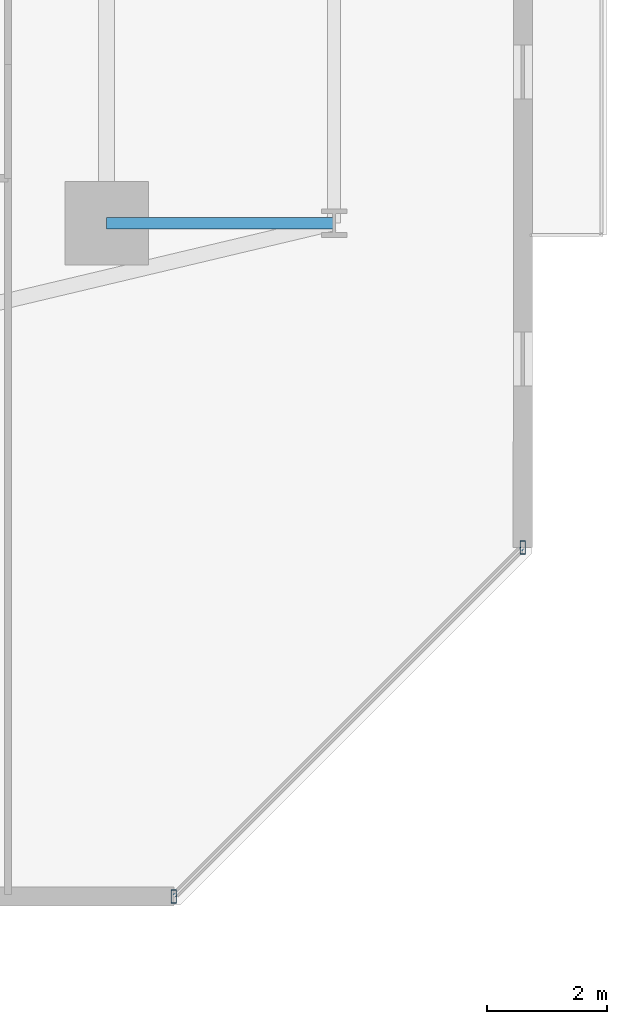
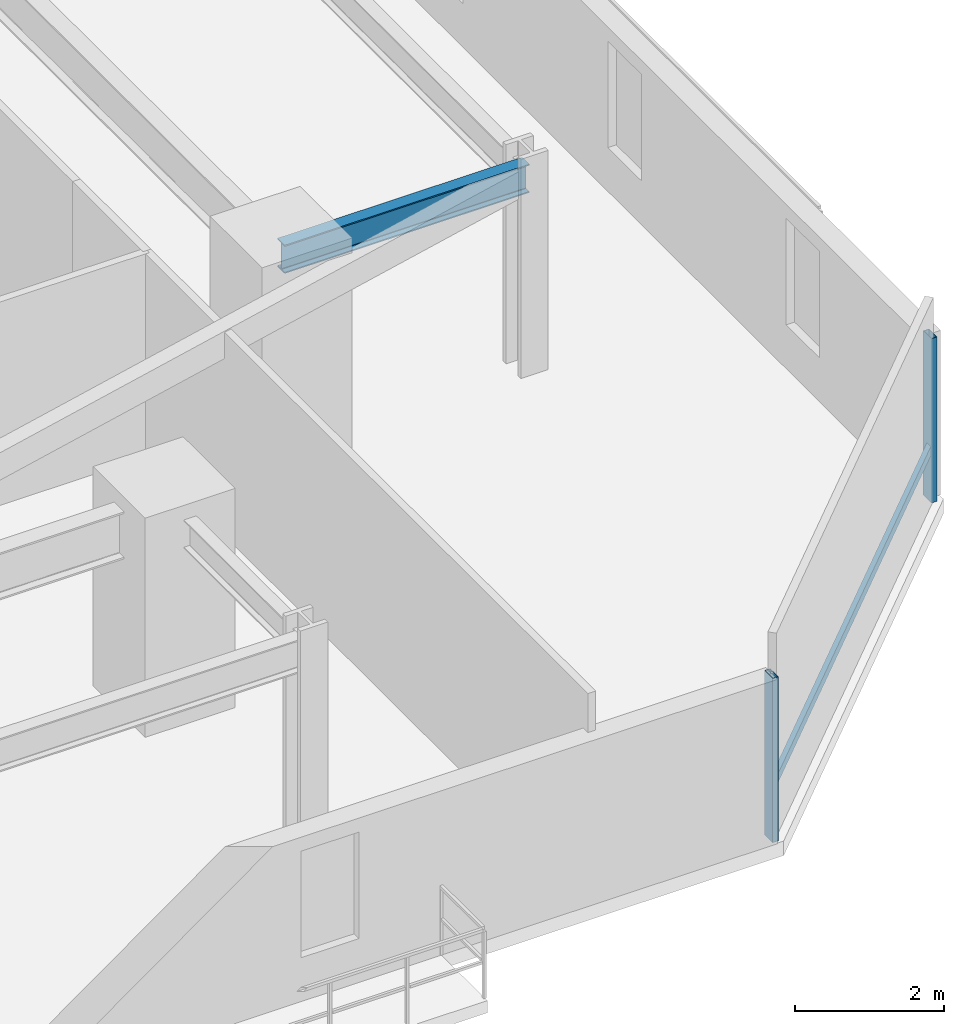
# One storey, part 12 of 33: 3 members, 1 beam, 1 element without a shape of its own.
"""IFC4 building model written with IfcOpenShell, lengths in metres."""

from ifc_helpers import new_model, si_unit, direction, frame, origin, origin_2d, place, context, subcontext, project, spatial, hollow_rectangle, i_section, extrude, material, material_profile, profile_set, type_object, element, aggregate, save


model = new_model("IFC4")

# Units and contexts
model_context = context("Model", 3, precision=1e-05, world=origin(), true_north=direction((0.0, 1.0)))
body_context = subcontext(model_context, "Body", "Model", "MODEL_VIEW")
ifc_project = project(units=[si_unit("LENGTHUNIT", "METRE"), si_unit("AREAUNIT", "SQUARE_METRE"), si_unit("VOLUMEUNIT", "CUBIC_METRE"), si_unit("PLANEANGLEUNIT", "RADIAN"), si_unit("MASSUNIT", "GRAM", prefix="KILO")], contexts=[model_context])

# Site, building, storey
site_placement = place(None, origin())
site = spatial("IfcSite", under=ifc_project, at=site_placement, CompositionType="ELEMENT")
building_placement = place(site_placement, origin())
building = spatial("IfcBuilding", under=site, at=building_placement, Name="Thornwick Lancets Civic Towers", CompositionType="ELEMENT")
storey_placement = place(building_placement, frame((0.0, 0.0, 31.5)))
storey = spatial("IfcBuildingStorey", under=building, at=storey_placement, Name="L07", CompositionType="ELEMENT", Elevation=31.5)

# Beam
ifc_material_1 = material(Name="Steel S355JR", Category="steel")
ifc_material_profile_1 = material_profile(ifc_material_1, i_section(OverallWidth=0.19287109375, OverallDepth=0.46728515625, WebThickness=0.011474609375, FlangeThickness=0.01953125, FilletRadius=0.01025390625, at=origin_2d()), Name="UKB 457x191x98")
ifc_profile_set_1 = profile_set([ifc_material_profile_1], Name="Steel S355JR")
beam_type = type_object("IfcBeamType", Name="BM_JOIST_457_98", PredefinedType="JOIST", material=ifc_profile_set_1)
beam_placement = place(storey_placement, frame((105.800048828125, 14.0, 3.12646484375), z_axis=(1.0, 0.0, 0.0), x_axis=(0.0, 1.0, 0.0)))
element("IfcBeam", 1, at=beam_placement, inside=storey, type_object=beam_type, Name="BM-RAD-L07-B01", PredefinedType="JOIST", context=body_context, shape_type="SweptSolid", body=[
    extrude(i_section(OverallWidth=0.19287109375, OverallDepth=0.46728515625, WebThickness=0.011474609375, FlangeThickness=0.01953125, FilletRadius=0.01025390625, at=origin_2d()), origin(), (0.0, 0.0, 1.0), 3.800048828125),
])

# Curtain wall, members
ifc_material_2 = material(Name="Low-zone chamfered-corner unitised glass curtain wall", Category="glass")
curtain_wall_type = type_object("IfcCurtainWallType", Name="CW_SYS_03", PredefinedType="NOTDEFINED", material=ifc_material_2)
curtain_wall_placement = place(storey_placement, origin())
curtain_wall = element("IfcCurtainWall", 2, at=curtain_wall_placement, inside=storey, type_object=curtain_wall_type, Name="L07 Curtain Wall CW-L07-B-E1", PredefinedType="NOTDEFINED")
ifc_material_3 = material(Name="Thermally broken bronze aluminium S355", Category="steel")
ifc_material_profile_2 = material_profile(ifc_material_3, hollow_rectangle(XDim=0.090087890625, YDim=0.219970703125, WallThickness=0.00634765625, at=origin_2d()), Name="RHS 220x90x6.3")
ifc_profile_set_2 = profile_set([ifc_material_profile_2], Name="Thermally broken bronze aluminium S355")
member_type_1 = type_object("IfcMemberType", Name="CW_MUL_220", PredefinedType="MULLION", material=ifc_profile_set_2)
member_1_placement = place(storey_placement, frame((106.92138671875, 2.74560546875, 0.0), z_axis=(0.0, 0.0, 1.0), x_axis=(1.0, 0.0, 0.0)))
member_1 = element("IfcMember", 3, at=member_1_placement, type_object=member_type_1, Name="CW-L07-B-E1 Mullion 0", PredefinedType="MULLION", context=body_context, shape_type="SweptSolid", body=[
    extrude(hollow_rectangle(XDim=0.090087890625, YDim=0.219970703125, WallThickness=0.00634765625, at=origin_2d()), origin(), (0.0, 0.0, 1.0), 2.699951171875),
])
member_2_placement = place(storey_placement, frame((112.75439453125, 8.57861328125, 0.0), z_axis=(0.0, 0.0, 1.0), x_axis=(1.0, 0.0, 0.0)))
member_2 = element("IfcMember", 4, at=member_2_placement, type_object=member_type_1, Name="CW-L07-B-E1 Mullion 1", PredefinedType="MULLION", context=body_context, shape_type="SweptSolid", body=[
    extrude(hollow_rectangle(XDim=0.090087890625, YDim=0.219970703125, WallThickness=0.00634765625, at=origin_2d()), origin(), (0.0, 0.0, 1.0), 2.699951171875),
])
ifc_material_profile_3 = material_profile(ifc_material_3, hollow_rectangle(XDim=0.074951171875, YDim=0.14990234375, WallThickness=0.0048828125, at=origin_2d()), Name="RHS 150x75x5")
ifc_profile_set_3 = profile_set([ifc_material_profile_3], Name="Thermally broken bronze aluminium S355")
member_type_2 = type_object("IfcMemberType", Name="CW_TRN_150", PredefinedType="USERDEFINED", material=ifc_profile_set_3)
member_3_placement = place(storey_placement, frame((106.935302734375, 2.759765625, 0.85009765625), z_axis=(0.707106781187, 0.707106781187, 0.0), x_axis=(-0.707106781187, 0.707106781187, 0.0)))
member_3 = element("IfcMember", 5, at=member_3_placement, type_object=member_type_2, Name="CW-L07-B-E1 Transom 0", ObjectType="TRANSOM", PredefinedType="USERDEFINED", context=body_context, shape_type="SweptSolid", body=[
    extrude(hollow_rectangle(XDim=0.074951171875, YDim=0.14990234375, WallThickness=0.0048828125, at=origin_2d()), origin(), (0.0, 0.0, 1.0), 8.20947265625),
])
aggregate(curtain_wall, [member_1, member_2, member_3])

save(model, "model.ifc")
